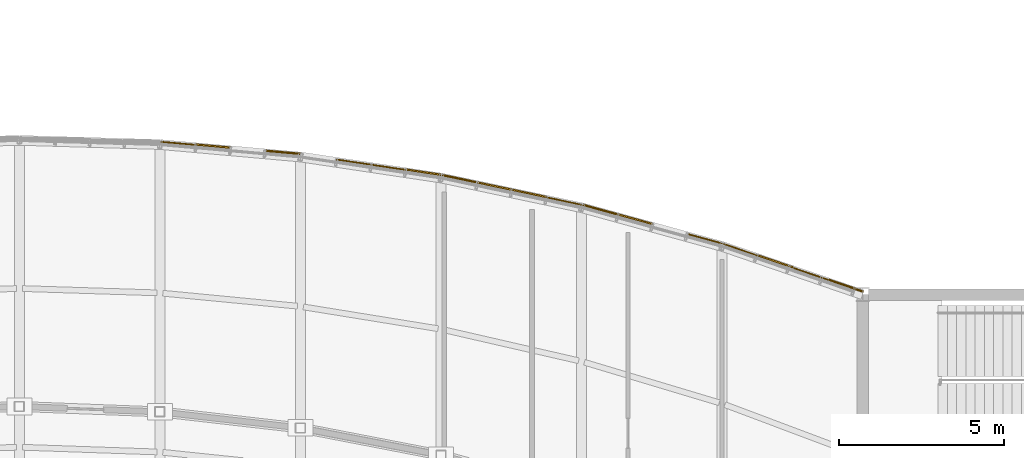
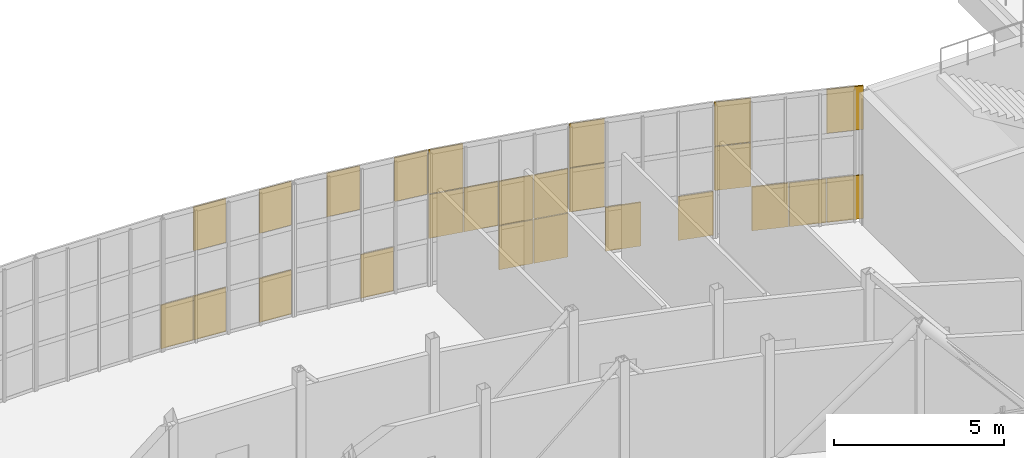
# One storey, part 63 of 66: 25 coverings.
"""IFC4 building model written with IfcOpenShell, lengths in metres."""

from ifc_helpers import new_model, si_unit, direction, frame, origin, origin_2d, place, context, subcontext, project, spatial, rectangle, extrude, material, layer, layer_set, type_object, element, save


model = new_model("IFC4")

# Units and contexts
model_context = context("Model", 3, precision=1e-05, world=origin(), true_north=direction((0.0, 1.0)))
body_context = subcontext(model_context, "Body", "Model", "MODEL_VIEW")
ifc_project = project(units=[si_unit("LENGTHUNIT", "METRE"), si_unit("AREAUNIT", "SQUARE_METRE"), si_unit("VOLUMEUNIT", "CUBIC_METRE"), si_unit("PLANEANGLEUNIT", "RADIAN"), si_unit("MASSUNIT", "GRAM", prefix="KILO")], contexts=[model_context])

# Site, building, storey
site_placement = place(None, origin())
site = spatial("IfcSite", under=ifc_project, at=site_placement, CompositionType="ELEMENT")
building_placement = place(site_placement, origin())
building = spatial("IfcBuilding", under=site, at=building_placement, Name="Solvikara Media Centre", CompositionType="ELEMENT")
storey_placement = place(building_placement, frame((0.0, 0.0, 19.800048828125)))
storey = spatial("IfcBuildingStorey", under=building, at=storey_placement, Name="L04", CompositionType="ELEMENT", Elevation=19.800048828125)

# Coverings
ifc_material_1 = material(Name="GFRC white mineral architectural rainscreen panel")
ifc_layer_1 = layer(ifc_material_1, 0.050048828125)
ifc_layer_set_1 = layer_set([ifc_layer_1], Name="GFRC white mineral architectural rainscreen panel")
covering_type_1 = type_object("IfcCoveringType", Name="CV-04", PredefinedType="CLADDING", material=ifc_layer_set_1)
for number, where, z_axis, x_axis, name in (
    (1, (107.85205078125, 41.29296875, 0.01513671875), (0.0, 0.0, 1.0), (0.996050368938, -0.088789991203, 0.0), "CW-L04-NARC-07-SF-10"),
    (2, (107.85205078125, 41.29296875, 3.21484375), (0.0, 0.0, 1.0), (0.996050368938, -0.088789991203, 0.0), "CW-L04-NARC-07-SF-12"),
    (3, (109.97705078125, 41.10498046875, 0.01513671875), (0.0, 0.0, 1.0), (0.996050368938, -0.088789991203, 0.0), "CW-L04-NARC-07-SF-30"),
):
    element("IfcCovering", number, at=place(storey_placement, frame(where, z_axis=z_axis, x_axis=x_axis)), inside=storey, type_object=covering_type_1, Name=name, PredefinedType="CLADDING", context=body_context, shape_type="SweptSolid", body=[
        extrude(rectangle(XDim=1.035888671875, YDim=0.050048828125, at=origin_2d()), origin(), (0.0, 0.0, 1.0), 1.570068359375),
    ])
covering_1_placement = place(storey_placement, frame((114.23193359375, 40.501953125, 3.21484375), z_axis=(0.0, 0.0, 1.0), x_axis=(0.988930567215, -0.148379018826, 0.0)))
element("IfcCovering", 4, at=covering_1_placement, inside=storey, type_object=covering_type_1, Name="CW-L04-NARC-08-SF-32", PredefinedType="CLADDING", context=body_context, shape_type="SweptSolid", body=[
    extrude(rectangle(XDim=1.044921875, YDim=0.050048828125, at=origin_2d()), origin(), (0.0, 0.0, 1.0), 1.570068359375),
])
for number, where, z_axis, x_axis, name in (
    (5, (115.300048828125, 40.30908203125, 3.21484375), (0.0, 0.0, 1.0), (0.978447760018, -0.206494505776, 0.0), "CW-L04-NARC-09-SF-02"),
    (6, (116.363037109375, 40.083984375, 1.61474609375), (0.0, 0.0, 1.0), (0.978447760018, -0.206494505776, 0.0), "CW-L04-NARC-09-SF-11"),
    (7, (117.425048828125, 39.860107421875, 0.01513671875), (0.0, 0.0, 1.0), (0.978447760018, -0.206494505776, 0.0), "CW-L04-NARC-09-SF-20"),
    (8, (117.425048828125, 39.860107421875, 1.61474609375), (0.0, 0.0, 1.0), (0.978447760018, -0.206494505776, 0.0), "CW-L04-NARC-09-SF-21"),
):
    element("IfcCovering", number, at=place(storey_placement, frame(where, z_axis=z_axis, x_axis=x_axis)), inside=storey, type_object=covering_type_1, Name=name, PredefinedType="CLADDING", context=body_context, shape_type="SweptSolid", body=[
        extrude(rectangle(XDim=1.055908203125, YDim=0.050048828125, at=origin_2d()), origin(), (0.0, 0.0, 1.0), 1.570068359375),
    ])
for number, where, z_axis, x_axis, name in (
    (9, (119.555908203125, 39.3759765625, 1.61474609375), (0.0, 0.0, 1.0), (0.964049041264, -0.265724379832, 0.0), "CW-L04-NARC-10-SF-01"),
    (10, (120.618896484375, 39.08203125, 0.01513671875), (0.0, 0.0, 1.0), (0.964049041264, -0.265724379832, 0.0), "CW-L04-NARC-10-SF-10"),
):
    element("IfcCovering", number, at=place(storey_placement, frame(where, z_axis=z_axis, x_axis=x_axis)), inside=storey, type_object=covering_type_1, Name=name, PredefinedType="CLADDING", context=body_context, shape_type="SweptSolid", body=[
        extrude(rectangle(XDim=1.072998046875, YDim=0.050048828125, at=origin_2d()), origin(), (0.0, 0.0, 1.0), 1.570068359375),
    ])
for number, where, z_axis, x_axis, name in (
    (11, (124.8740234375, 37.802001953125, 0.01513671875), (0.0, 0.0, 1.0), (0.945807995037, -0.324726402566, 0.0), "CW-L04-NARC-11-SF-10"),
    (12, (126.9990234375, 37.072021484375, 3.21484375), (0.0, 0.0, 1.0), (0.945807995037, -0.324726402566, 0.0), "CW-L04-NARC-11-SF-32"),
):
    element("IfcCovering", number, at=place(storey_placement, frame(where, z_axis=z_axis, x_axis=x_axis)), inside=storey, type_object=covering_type_1, Name=name, PredefinedType="CLADDING", context=body_context, shape_type="SweptSolid", body=[
        extrude(rectangle(XDim=1.093017578125, YDim=0.050048828125, at=origin_2d()), origin(), (0.0, 0.0, 1.0), 1.570068359375),
    ])
ifc_material_2 = material(Name="Insulated silver-pearl glass spandrel panel", Category="glass")
ifc_layer_2 = layer(ifc_material_2, 0.034912109375)
ifc_layer_set_2 = layer_set([ifc_layer_2], Name="Insulated silver-pearl glass spandrel panel")
covering_type_2 = type_object("IfcCoveringType", Name="CV-06", PredefinedType="CLADDING", material=ifc_layer_set_2)
covering_2_placement = place(storey_placement, frame((106.7880859375, 41.376953125, 0.01513671875), z_axis=(0.0, 0.0, 1.0), x_axis=(0.996142803437, -0.087746881202, 0.0)))
element("IfcCovering", 13, at=covering_2_placement, inside=storey, type_object=covering_type_2, Name="CW-L04-NARC-07-PX-00", PredefinedType="CLADDING", context=body_context, shape_type="SweptSolid", body=[
    extrude(rectangle(XDim=1.037109375, YDim=0.034912109375, at=origin_2d()), origin(), (0.0, 0.0, 1.0), 1.570068359375),
])
covering_3_placement = place(storey_placement, frame((109.97607421875, 41.094970703125, 3.21484375), z_axis=(0.0, 0.0, 1.0), x_axis=(0.996050368938, -0.088789991203, 0.0)))
element("IfcCovering", 14, at=covering_3_placement, inside=storey, type_object=covering_type_2, Name="CW-L04-NARC-07-PX-32", PredefinedType="CLADDING", context=body_context, shape_type="SweptSolid", body=[
    extrude(rectangle(XDim=1.035888671875, YDim=0.034912109375, at=origin_2d()), origin(), (0.0, 0.0, 1.0), 1.570068359375),
])
for number, where, z_axis, x_axis, name in (
    (15, (112.10693359375, 40.80908203125, 3.21484375), (0.0, 0.0, 1.0), (0.989069971909, -0.147446907963, 0.0), "CW-L04-NARC-08-PX-12"),
    (16, (113.16796875, 40.64990234375, 0.01513671875), (0.0, 0.0, 1.0), (0.989069971909, -0.147446907963, 0.0), "CW-L04-NARC-08-PX-20"),
):
    element("IfcCovering", number, at=place(storey_placement, frame(where, z_axis=z_axis, x_axis=x_axis)), inside=storey, type_object=covering_type_2, Name=name, PredefinedType="CLADDING", context=body_context, shape_type="SweptSolid", body=[
        extrude(rectangle(XDim=1.0439453125, YDim=0.034912109375, at=origin_2d()), origin(), (0.0, 0.0, 1.0), 1.570068359375),
    ])
for number, where, z_axis, x_axis, name in (
    (17, (115.298095703125, 40.299072265625, 1.61474609375), (0.0, 0.0, 1.0), (0.978447760018, -0.206494505776, 0.0), "CW-L04-NARC-09-PX-01"),
    (18, (118.487060546875, 39.6259765625, 0.01513671875), (0.0, 0.0, 1.0), (0.978256328953, -0.207399505455, 0.0), "CW-L04-NARC-09-PX-30"),
    (19, (118.487060546875, 39.6259765625, 1.61474609375), (0.0, 0.0, 1.0), (0.978256328953, -0.207399505455, 0.0), "CW-L04-NARC-09-PX-31"),
):
    element("IfcCovering", number, at=place(storey_placement, frame(where, z_axis=z_axis, x_axis=x_axis)), inside=storey, type_object=covering_type_2, Name=name, PredefinedType="CLADDING", context=body_context, shape_type="SweptSolid", body=[
        extrude(rectangle(XDim=1.055908203125, YDim=0.034912109375, at=origin_2d()), origin(), (0.0, 0.0, 1.0), 1.570068359375),
    ])
covering_4_placement = place(storey_placement, frame((119.552978515625, 39.364990234375, 3.21484375), z_axis=(0.0, 0.0, 1.0), x_axis=(0.963984083771, -0.265959933516, 0.0)))
element("IfcCovering", 20, at=covering_4_placement, inside=storey, type_object=covering_type_2, Name="CW-L04-NARC-10-PX-02", PredefinedType="CLADDING", context=body_context, shape_type="SweptSolid", body=[
    extrude(rectangle(XDim=1.072021484375, YDim=0.034912109375, at=origin_2d()), origin(), (0.0, 0.0, 1.0), 1.570068359375),
])
covering_5_placement = place(storey_placement, frame((122.740966796875, 38.487060546875, 0.01513671875), z_axis=(0.0, 0.0, 1.0), x_axis=(0.964049041264, -0.265724379832, 0.0)))
element("IfcCovering", 21, at=covering_5_placement, inside=storey, type_object=covering_type_2, Name="CW-L04-NARC-10-PX-30", PredefinedType="CLADDING", context=body_context, shape_type="SweptSolid", body=[
    extrude(rectangle(XDim=1.072998046875, YDim=0.034912109375, at=origin_2d()), origin(), (0.0, 0.0, 1.0), 1.570068359375),
])
for number, where, z_axis, x_axis, name in (
    (22, (123.80810546875, 38.156982421875, 1.61474609375), (0.0, 0.0, 1.0), (0.945626486098, -0.325254590729, 0.0), "CW-L04-NARC-11-PX-01"),
    (23, (123.80810546875, 38.156982421875, 3.21484375), (0.0, 0.0, 1.0), (0.945626486098, -0.325254590729, 0.0), "CW-L04-NARC-11-PX-02"),
    (24, (125.93310546875, 37.427001953125, 0.01513671875), (0.0, 0.0, 1.0), (0.945626486098, -0.325254590729, 0.0), "CW-L04-NARC-11-PX-20"),
):
    element("IfcCovering", number, at=place(storey_placement, frame(where, z_axis=z_axis, x_axis=x_axis)), inside=storey, type_object=covering_type_2, Name=name, PredefinedType="CLADDING", context=body_context, shape_type="SweptSolid", body=[
        extrude(rectangle(XDim=1.094970703125, YDim=0.034912109375, at=origin_2d()), origin(), (0.0, 0.0, 1.0), 1.570068359375),
    ])
covering_6_placement = place(storey_placement, frame((126.99609375, 37.06201171875, 0.01513671875), z_axis=(0.0, 0.0, 1.0), x_axis=(0.945529939496, -0.325535149434, 0.0)))
element("IfcCovering", 25, at=covering_6_placement, inside=storey, type_object=covering_type_2, Name="CW-L04-NARC-11-PX-30", PredefinedType="CLADDING", context=body_context, shape_type="SweptSolid", body=[
    extrude(rectangle(XDim=1.093994140625, YDim=0.034912109375, at=origin_2d()), origin(), (0.0, 0.0, 1.0), 1.570068359375),
])

save(model, "model.ifc")
